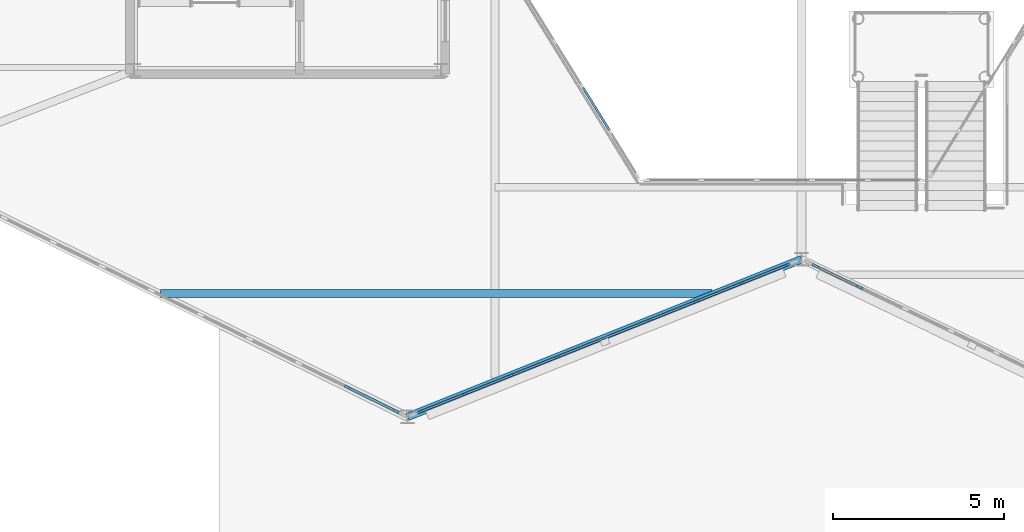
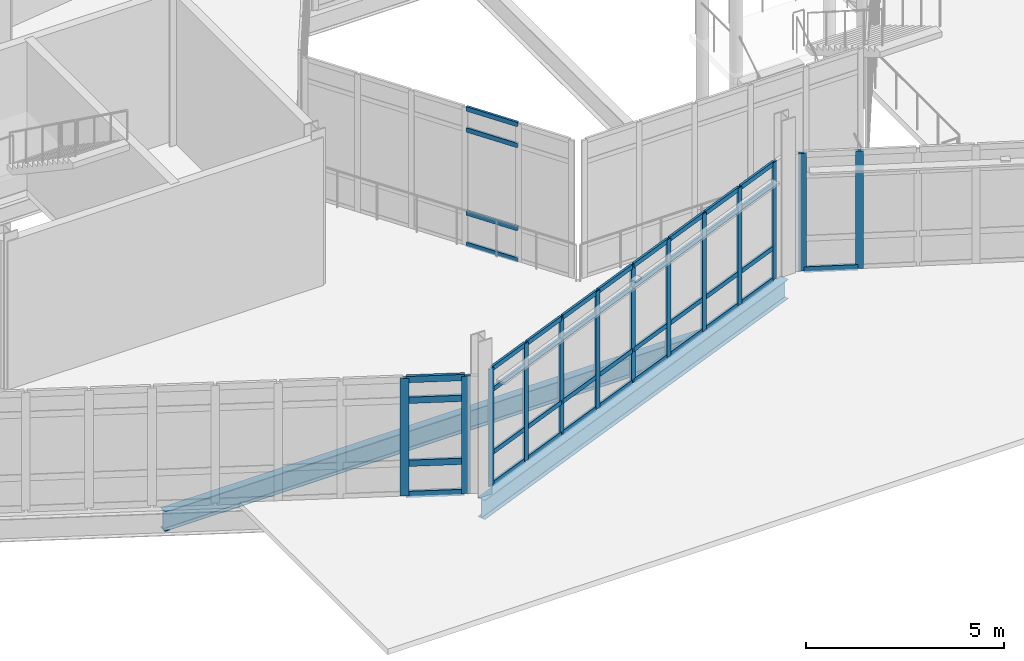
# One storey, part 37 of 134: 54 members, 2 beams, 4 elements without a shape of their own.
"""IFC4 building model written with IfcOpenShell, lengths in metres."""

from ifc_helpers import new_model, si_unit, direction, frame, origin, origin_2d, place, context, subcontext, project, spatial, rectangle, i_section, extrude, material, material_profile, profile_set, type_object, element, aggregate, save


model = new_model("IFC4")

# Units and contexts
model_context = context("Model", 3, precision=1e-05, world=origin(), true_north=direction((0.0, 1.0)))
body_context = subcontext(model_context, "Body", "Model", "MODEL_VIEW")
ifc_project = project(units=[si_unit("LENGTHUNIT", "METRE"), si_unit("AREAUNIT", "SQUARE_METRE"), si_unit("VOLUMEUNIT", "CUBIC_METRE"), si_unit("PLANEANGLEUNIT", "RADIAN"), si_unit("MASSUNIT", "GRAM", prefix="KILO")], contexts=[model_context])

# Site, building, storey
site_placement = place(None, origin())
site = spatial("IfcSite", under=ifc_project, at=site_placement, CompositionType="ELEMENT")
building_placement = place(site_placement, origin())
building = spatial("IfcBuilding", under=site, at=building_placement, Name="Tameran Prism Museum", CompositionType="ELEMENT")
storey_placement = place(building_placement, frame((0.0, 0.0, 5.39990234375)))
storey = spatial("IfcBuildingStorey", under=building, at=storey_placement, Name="L01", CompositionType="ELEMENT", Elevation=5.39990234375)

# Beams
ifc_material_1 = material(Name="Steel Grade 300PLUS (300 MPa)", Category="steel")
ifc_material_profile_1 = material_profile(ifc_material_1, i_section(OverallWidth=0.22802734375, OverallDepth=0.60205078125, WebThickness=0.010498046875, FlangeThickness=0.014892578125, FilletRadius=0.013916015625, at=origin_2d()))
ifc_profile_set_1 = profile_set([ifc_material_profile_1])
beam_type_1 = type_object("IfcBeamType", Name="BM-SP610", PredefinedType="SPANDREL", material=ifc_profile_set_1)
beam_1_placement = place(storey_placement, frame((66.0, 22.800048828125, -0.5009765625), z_axis=(0.928480769028, 0.371380480835, 0.0), x_axis=(-0.371380480835, 0.928480769028, 0.0)))
element("IfcBeam", 1, at=beam_1_placement, inside=storey, type_object=beam_type_1, Name="Perimeter Spandrel SP-0347", PredefinedType="SPANDREL", context=body_context, shape_type="SweptSolid", body=[
    extrude(i_section(OverallWidth=0.22802734375, OverallDepth=0.60205078125, WebThickness=0.010498046875, FlangeThickness=0.014892578125, FilletRadius=0.013916015625, at=origin_2d()), origin(), (0.0, 0.0, 1.0), 12.3857421875),
])
ifc_material_2 = material(Name="Steel Grade 300PLUS (300 MPa)", Category="steel")
ifc_material_profile_2 = material_profile(ifc_material_2, i_section(OverallWidth=0.22802734375, OverallDepth=0.60693359375, WebThickness=0.01123046875, FlangeThickness=0.017333984375, FilletRadius=0.013916015625, at=origin_2d()))
ifc_profile_set_2 = profile_set([ifc_material_profile_2])
beam_type_2 = type_object("IfcBeamType", Name="BM-UB610B", PredefinedType="BEAM", material=ifc_profile_set_2)
beam_2_placement = place(storey_placement, frame((58.79296875, 26.39990234375, -0.50341796875), z_axis=(1.0, 0.0, 0.0), x_axis=(0.0, 1.0, 0.0)))
element("IfcBeam", 2, at=beam_2_placement, inside=storey, type_object=beam_type_2, Name="Floor Beam BM-0539", PredefinedType="BEAM", context=body_context, shape_type="SweptSolid", body=[
    extrude(i_section(OverallWidth=0.22802734375, OverallDepth=0.60693359375, WebThickness=0.01123046875, FlangeThickness=0.017333984375, FilletRadius=0.013916015625, at=origin_2d()), origin(), (0.0, 0.0, 1.0), 16.09912109375),
])

# Curtain wall, members
ifc_material_3 = material(Name="Anodised Aluminium 6063-T6 and Cyclone Solar Glass", Category="aluminium")
curtain_wall_type_1 = type_object("IfcCurtainWallType", Name="CW-FAC-1163x362", PredefinedType="USERDEFINED", material=ifc_material_3)
curtain_wall_1_placement = place(storey_placement, origin())
curtain_wall_1 = element("IfcCurtainWall", 3, at=curtain_wall_1_placement, inside=storey, type_object=curtain_wall_type_1, Name="Unitised Curtain Wall CW-063", ObjectType="UNITISED CURTAIN WALL", PredefinedType="USERDEFINED")
ifc_material_4 = material(Name="Anodised Aluminium Alloy 6063-T6", Category="aluminium")
ifc_material_profile_3 = material_profile(ifc_material_4, rectangle(XDim=0.06494140625, YDim=0.159912109375, at=origin_2d()))
ifc_profile_set_3 = profile_set([ifc_material_profile_3])
member_type_1 = type_object("IfcMemberType", Name="CW-MUL-A", PredefinedType="MULLION", material=ifc_profile_set_3)
member_1_placement = place(storey_placement, frame((77.0888671875, 27.23583984375, 0.0), z_axis=(0.0, 0.0, 1.0), x_axis=(0.371420337114, -0.928464826032, 0.0)))
member_1 = element("IfcMember", 4, at=member_1_placement, type_object=member_type_1, Name="CW-063 mullion 1", PredefinedType="MULLION", context=body_context, shape_type="SweptSolid", body=[
    extrude(rectangle(XDim=0.06494140625, YDim=0.159912109375, at=origin_2d()), origin(), (0.0, 0.0, 1.0), 3.6201171875),
])
member_2_placement = place(storey_placement, frame((75.769775390625, 26.708251953125, 0.0), z_axis=(0.0, 0.0, 1.0), x_axis=(0.371420337114, -0.928464826032, 0.0)))
member_2 = element("IfcMember", 5, at=member_2_placement, type_object=member_type_1, Name="CW-063 mullion 2", PredefinedType="MULLION", context=body_context, shape_type="SweptSolid", body=[
    extrude(rectangle(XDim=0.06494140625, YDim=0.159912109375, at=origin_2d()), origin(), (0.0, 0.0, 1.0), 3.6201171875),
])
member_3_placement = place(storey_placement, frame((74.42041015625, 26.16845703125, 0.0), z_axis=(0.0, 0.0, 1.0), x_axis=(0.371420337114, -0.928464826032, 0.0)))
member_3 = element("IfcMember", 6, at=member_3_placement, type_object=member_type_1, Name="CW-063 mullion 3", PredefinedType="MULLION", context=body_context, shape_type="SweptSolid", body=[
    extrude(rectangle(XDim=0.06494140625, YDim=0.159912109375, at=origin_2d()), origin(), (0.0, 0.0, 1.0), 3.6201171875),
])
member_4_placement = place(storey_placement, frame((73.0712890625, 25.628662109375, 0.0), z_axis=(0.0, 0.0, 1.0), x_axis=(0.371420337114, -0.928464826032, 0.0)))
member_4 = element("IfcMember", 7, at=member_4_placement, type_object=member_type_1, Name="CW-063 mullion 4", PredefinedType="MULLION", context=body_context, shape_type="SweptSolid", body=[
    extrude(rectangle(XDim=0.06494140625, YDim=0.159912109375, at=origin_2d()), origin(), (0.0, 0.0, 1.0), 3.6201171875),
])
member_5_placement = place(storey_placement, frame((71.721923828125, 25.089111328125, 0.0), z_axis=(0.0, 0.0, 1.0), x_axis=(0.371420337114, -0.928464826032, 0.0)))
member_5 = element("IfcMember", 8, at=member_5_placement, type_object=member_type_1, Name="CW-063 mullion 5", PredefinedType="MULLION", context=body_context, shape_type="SweptSolid", body=[
    extrude(rectangle(XDim=0.06494140625, YDim=0.159912109375, at=origin_2d()), origin(), (0.0, 0.0, 1.0), 3.6201171875),
])
member_6_placement = place(storey_placement, frame((70.372802734375, 24.54931640625, 0.0), z_axis=(0.0, 0.0, 1.0), x_axis=(0.371420337114, -0.928464826032, 0.0)))
member_6 = element("IfcMember", 9, at=member_6_placement, type_object=member_type_1, Name="CW-063 mullion 6", PredefinedType="MULLION", context=body_context, shape_type="SweptSolid", body=[
    extrude(rectangle(XDim=0.06494140625, YDim=0.159912109375, at=origin_2d()), origin(), (0.0, 0.0, 1.0), 3.6201171875),
])
member_7_placement = place(storey_placement, frame((69.0234375, 24.009521484375, 0.0), z_axis=(0.0, 0.0, 1.0), x_axis=(0.371420337114, -0.928464826032, 0.0)))
member_7 = element("IfcMember", 10, at=member_7_placement, type_object=member_type_1, Name="CW-063 mullion 7", PredefinedType="MULLION", context=body_context, shape_type="SweptSolid", body=[
    extrude(rectangle(XDim=0.06494140625, YDim=0.159912109375, at=origin_2d()), origin(), (0.0, 0.0, 1.0), 3.6201171875),
])
member_8_placement = place(storey_placement, frame((67.67431640625, 23.4697265625, 0.0), z_axis=(0.0, 0.0, 1.0), x_axis=(0.371420337114, -0.928464826032, 0.0)))
member_8 = element("IfcMember", 11, at=member_8_placement, type_object=member_type_1, Name="CW-063 mullion 8", PredefinedType="MULLION", context=body_context, shape_type="SweptSolid", body=[
    extrude(rectangle(XDim=0.06494140625, YDim=0.159912109375, at=origin_2d()), origin(), (0.0, 0.0, 1.0), 3.6201171875),
])
member_9_placement = place(storey_placement, frame((66.355224609375, 22.942138671875, 0.0), z_axis=(0.0, 0.0, 1.0), x_axis=(0.371420337114, -0.928464826032, 0.0)))
member_9 = element("IfcMember", 12, at=member_9_placement, type_object=member_type_1, Name="CW-063 mullion 9", PredefinedType="MULLION", context=body_context, shape_type="SweptSolid", body=[
    extrude(rectangle(XDim=0.06494140625, YDim=0.159912109375, at=origin_2d()), origin(), (0.0, 0.0, 1.0), 3.6201171875),
])

ifc_material_5 = material(Name="Anodised Aluminium 6063-T6 and Cyclone Solar Glass", Category="aluminium")
curtain_wall_type_2 = type_object("IfcCurtainWallType", Name="CW-FAC-1033x362", PredefinedType="USERDEFINED", material=ifc_material_5)
curtain_wall_2_placement = place(storey_placement, origin())
curtain_wall_2 = element("IfcCurtainWall", 13, at=curtain_wall_2_placement, inside=storey, type_object=curtain_wall_type_2, Name="Unitised Curtain Wall CW-065", ObjectType="UNITISED CURTAIN WALL", PredefinedType="USERDEFINED")
ifc_material_6 = material(Name="Anodised Aluminium Alloy 6063-T6", Category="aluminium")
ifc_material_profile_4 = material_profile(ifc_material_6, rectangle(XDim=0.074951171875, YDim=0.199951171875, at=origin_2d()))
ifc_profile_set_4 = profile_set([ifc_material_profile_4])
member_type_2 = type_object("IfcMemberType", Name="CW-MUL-C", PredefinedType="MULLION", material=ifc_profile_set_4)
member_10_placement = place(storey_placement, frame((79.20068359375, 26.584228515625, 0.0), z_axis=(0.0, 0.0, 1.0), x_axis=(-0.432831753637, -0.901474721245, 0.0)))
member_10 = element("IfcMember", 14, at=member_10_placement, type_object=member_type_2, Name="CW-065 mullion 7", PredefinedType="MULLION", context=body_context, shape_type="SweptSolid", body=[
    extrude(rectangle(XDim=0.074951171875, YDim=0.199951171875, at=origin_2d()), origin(), (0.0, 0.0, 1.0), 3.6201171875),
])
member_11_placement = place(storey_placement, frame((77.90380859375, 27.206787109375, 0.0), z_axis=(0.0, 0.0, 1.0), x_axis=(-0.432831753637, -0.901474721245, 0.0)))
member_11 = element("IfcMember", 15, at=member_11_placement, type_object=member_type_2, Name="CW-065 mullion 8", PredefinedType="MULLION", context=body_context, shape_type="SweptSolid", body=[
    extrude(rectangle(XDim=0.074951171875, YDim=0.199951171875, at=origin_2d()), origin(), (0.0, 0.0, 1.0), 3.6201171875),
])

ifc_material_7 = material(Name="Anodised Aluminium 6063-T6 and Cyclone Solar Glass", Category="aluminium")
curtain_wall_type_3 = type_object("IfcCurtainWallType", Name="CW-FAC-1597x362", PredefinedType="USERDEFINED", material=ifc_material_7)
curtain_wall_3_placement = place(storey_placement, origin())
curtain_wall_3 = element("IfcCurtainWall", 16, at=curtain_wall_3_placement, inside=storey, type_object=curtain_wall_type_3, Name="Unitised Curtain Wall CW-062", ObjectType="UNITISED CURTAIN WALL", PredefinedType="USERDEFINED")
ifc_material_8 = material(Name="Anodised Aluminium Alloy 6063-T6", Category="aluminium")
ifc_material_profile_5 = material_profile(ifc_material_8, rectangle(XDim=0.080078125, YDim=0.219970703125, at=origin_2d()))
ifc_profile_set_5 = profile_set([ifc_material_profile_5])
member_type_3 = type_object("IfcMemberType", Name="CW-MUL-D", PredefinedType="MULLION", material=ifc_profile_set_5)
member_12_placement = place(storey_placement, frame((65.650146484375, 22.97265625, 0.0), z_axis=(0.0, 0.0, 1.0), x_axis=(-0.442396697666, -0.896819470069, 0.0)))
member_12 = element("IfcMember", 17, at=member_12_placement, type_object=member_type_3, Name="CW-062 mullion 1", PredefinedType="MULLION", context=body_context, shape_type="SweptSolid", body=[
    extrude(rectangle(XDim=0.080078125, YDim=0.219970703125, at=origin_2d()), origin(), (0.0, 0.0, 1.0), 3.6201171875),
])
member_13_placement = place(storey_placement, frame((64.254150390625, 23.661376953125, 0.0), z_axis=(0.0, 0.0, 1.0), x_axis=(-0.442396697666, -0.896819470069, 0.0)))
member_13 = element("IfcMember", 18, at=member_13_placement, type_object=member_type_3, Name="CW-062 mullion 2", PredefinedType="MULLION", context=body_context, shape_type="SweptSolid", body=[
    extrude(rectangle(XDim=0.080078125, YDim=0.219970703125, at=origin_2d()), origin(), (0.0, 0.0, 1.0), 3.6201171875),
])

ifc_material_9 = material(Name="Anodised Aluminium 6063-T6 and Cyclone Solar Glass", Category="aluminium")
curtain_wall_type_4 = type_object("IfcCurtainWallType", Name="CW-ATR-769x424", PredefinedType="USERDEFINED", material=ifc_material_9)
curtain_wall_4_placement = place(storey_placement, origin())
curtain_wall_4 = element("IfcCurtainWall", 19, at=curtain_wall_4_placement, inside=storey, type_object=curtain_wall_type_4, Name="Unitised Curtain Wall CW-001", ObjectType="UNITISED CURTAIN WALL", PredefinedType="USERDEFINED")
ifc_material_10 = material(Name="Anodised Aluminium Alloy 6063-T6", Category="aluminium")
ifc_material_profile_6 = material_profile(ifc_material_10, rectangle(XDim=0.06494140625, YDim=0.139892578125, at=origin_2d()))
ifc_profile_set_6 = profile_set([ifc_material_profile_6])
member_type_4 = type_object("IfcMemberType", Name="CW-TRN-A", PredefinedType="USERDEFINED", material=ifc_profile_set_6)
member_14_placement = place(storey_placement, frame((71.121337890625, 32.41796875, 0.03271484375), z_axis=(0.525492880722, -0.850797997359, 0.0), x_axis=(0.850797997359, 0.525492880722, 0.0)))
member_14 = element("IfcMember", 20, at=member_14_placement, type_object=member_type_4, Name="CW-001 transom 4.1", ObjectType="TRANSOM", PredefinedType="USERDEFINED", context=body_context, shape_type="SweptSolid", body=[
    extrude(rectangle(XDim=0.06494140625, YDim=0.139892578125, at=origin_2d()), origin(), (0.0, 0.0, 1.0), 1.47314453125),
])
member_15_placement = place(storey_placement, frame((71.121337890625, 32.41796875, 1.0), z_axis=(0.525492880722, -0.850797997359, 0.0), x_axis=(0.850797997359, 0.525492880722, 0.0)))
member_15 = element("IfcMember", 21, at=member_15_placement, type_object=member_type_4, Name="CW-001 transom 4.2", ObjectType="TRANSOM", PredefinedType="USERDEFINED", context=body_context, shape_type="SweptSolid", body=[
    extrude(rectangle(XDim=0.06494140625, YDim=0.139892578125, at=origin_2d()), origin(), (0.0, 0.0, 1.0), 1.47314453125),
])
member_16_placement = place(storey_placement, frame((71.121337890625, 32.41796875, 3.56005859375), z_axis=(0.525492880722, -0.850797997359, 0.0), x_axis=(0.850797997359, 0.525492880722, 0.0)))
member_16 = element("IfcMember", 22, at=member_16_placement, type_object=member_type_4, Name="CW-001 transom 4.3", ObjectType="TRANSOM", PredefinedType="USERDEFINED", context=body_context, shape_type="SweptSolid", body=[
    extrude(rectangle(XDim=0.06494140625, YDim=0.139892578125, at=origin_2d()), origin(), (0.0, 0.0, 1.0), 1.47314453125),
])
member_17_placement = place(storey_placement, frame((71.121337890625, 32.41796875, 4.20751953125), z_axis=(0.525492880722, -0.850797997359, 0.0), x_axis=(0.850797997359, 0.525492880722, 0.0)))
member_17 = element("IfcMember", 23, at=member_17_placement, type_object=member_type_4, Name="CW-001 transom 4.4", ObjectType="TRANSOM", PredefinedType="USERDEFINED", context=body_context, shape_type="SweptSolid", body=[
    extrude(rectangle(XDim=0.06494140625, YDim=0.139892578125, at=origin_2d()), origin(), (0.0, 0.0, 1.0), 1.47314453125),
])
aggregate(curtain_wall_4, [member_14, member_15, member_16, member_17])

# Member
member_18_placement = place(storey_placement, frame((77.05859375, 27.223876953125, 0.03271484375), z_axis=(-0.928439430411, -0.371483813991, 0.0), x_axis=(0.371483813991, -0.928439430411, 0.0)))
member_18 = element("IfcMember", 24, at=member_18_placement, type_object=member_type_4, Name="CW-063 transom 1.1", ObjectType="TRANSOM", PredefinedType="USERDEFINED", context=body_context, shape_type="SweptSolid", body=[
    extrude(rectangle(XDim=0.06494140625, YDim=0.139892578125, at=origin_2d()), origin(), (0.0, 0.0, 1.0), 1.355712890625),
])

member_19_placement = place(storey_placement, frame((77.05859375, 27.223876953125, 1.0), z_axis=(-0.928439430411, -0.371483813991, 0.0), x_axis=(0.371483813991, -0.928439430411, 0.0)))
member_19 = element("IfcMember", 25, at=member_19_placement, type_object=member_type_4, Name="CW-063 transom 1.2", ObjectType="TRANSOM", PredefinedType="USERDEFINED", context=body_context, shape_type="SweptSolid", body=[
    extrude(rectangle(XDim=0.06494140625, YDim=0.139892578125, at=origin_2d()), origin(), (0.0, 0.0, 1.0), 1.355712890625),
])

member_20_placement = place(storey_placement, frame((77.05859375, 27.223876953125, 2.940185546875), z_axis=(-0.928439430411, -0.371483813991, 0.0), x_axis=(0.371483813991, -0.928439430411, 0.0)))
member_20 = element("IfcMember", 26, at=member_20_placement, type_object=member_type_4, Name="CW-063 transom 1.3", ObjectType="TRANSOM", PredefinedType="USERDEFINED", context=body_context, shape_type="SweptSolid", body=[
    extrude(rectangle(XDim=0.06494140625, YDim=0.139892578125, at=origin_2d()), origin(), (0.0, 0.0, 1.0), 1.355712890625),
])

member_21_placement = place(storey_placement, frame((77.05859375, 27.223876953125, 3.587646484375), z_axis=(-0.928439430411, -0.371483813991, 0.0), x_axis=(0.371483813991, -0.928439430411, 0.0)))
member_21 = element("IfcMember", 27, at=member_21_placement, type_object=member_type_4, Name="CW-063 transom 1.4", ObjectType="TRANSOM", PredefinedType="USERDEFINED", context=body_context, shape_type="SweptSolid", body=[
    extrude(rectangle(XDim=0.06494140625, YDim=0.139892578125, at=origin_2d()), origin(), (0.0, 0.0, 1.0), 1.355712890625),
])

member_22_placement = place(storey_placement, frame((75.739501953125, 26.6962890625, 0.03271484375), z_axis=(-0.928452430067, -0.371451322656, 0.0), x_axis=(0.371451322656, -0.928452430067, 0.0)))
member_22 = element("IfcMember", 28, at=member_22_placement, type_object=member_type_4, Name="CW-063 transom 2.1", ObjectType="TRANSOM", PredefinedType="USERDEFINED", context=body_context, shape_type="SweptSolid", body=[
    extrude(rectangle(XDim=0.06494140625, YDim=0.139892578125, at=origin_2d()), origin(), (0.0, 0.0, 1.0), 1.38818359375),
])

member_23_placement = place(storey_placement, frame((75.739501953125, 26.6962890625, 1.0), z_axis=(-0.928452430067, -0.371451322656, 0.0), x_axis=(0.371451322656, -0.928452430067, 0.0)))
member_23 = element("IfcMember", 29, at=member_23_placement, type_object=member_type_4, Name="CW-063 transom 2.2", ObjectType="TRANSOM", PredefinedType="USERDEFINED", context=body_context, shape_type="SweptSolid", body=[
    extrude(rectangle(XDim=0.06494140625, YDim=0.139892578125, at=origin_2d()), origin(), (0.0, 0.0, 1.0), 1.38818359375),
])

member_24_placement = place(storey_placement, frame((75.739501953125, 26.6962890625, 2.940185546875), z_axis=(-0.928452430067, -0.371451322656, 0.0), x_axis=(0.371451322656, -0.928452430067, 0.0)))
member_24 = element("IfcMember", 30, at=member_24_placement, type_object=member_type_4, Name="CW-063 transom 2.3", ObjectType="TRANSOM", PredefinedType="USERDEFINED", context=body_context, shape_type="SweptSolid", body=[
    extrude(rectangle(XDim=0.06494140625, YDim=0.139892578125, at=origin_2d()), origin(), (0.0, 0.0, 1.0), 1.38818359375),
])

member_25_placement = place(storey_placement, frame((75.739501953125, 26.6962890625, 3.587646484375), z_axis=(-0.928452430067, -0.371451322656, 0.0), x_axis=(0.371451322656, -0.928452430067, 0.0)))
member_25 = element("IfcMember", 31, at=member_25_placement, type_object=member_type_4, Name="CW-063 transom 2.4", ObjectType="TRANSOM", PredefinedType="USERDEFINED", context=body_context, shape_type="SweptSolid", body=[
    extrude(rectangle(XDim=0.06494140625, YDim=0.139892578125, at=origin_2d()), origin(), (0.0, 0.0, 1.0), 1.38818359375),
])

member_26_placement = place(storey_placement, frame((74.390380859375, 26.156494140625, 0.03271484375), z_axis=(-0.928476690885, -0.371390676354, 0.0), x_axis=(0.371390676354, -0.928476690885, 0.0)))
member_26 = element("IfcMember", 32, at=member_26_placement, type_object=member_type_4, Name="CW-063 transom 3.1", ObjectType="TRANSOM", PredefinedType="USERDEFINED", context=body_context, shape_type="SweptSolid", body=[
    extrude(rectangle(XDim=0.06494140625, YDim=0.139892578125, at=origin_2d()), origin(), (0.0, 0.0, 1.0), 1.388427734375),
])

member_27_placement = place(storey_placement, frame((74.390380859375, 26.156494140625, 1.0), z_axis=(-0.928476690885, -0.371390676354, 0.0), x_axis=(0.371390676354, -0.928476690885, 0.0)))
member_27 = element("IfcMember", 33, at=member_27_placement, type_object=member_type_4, Name="CW-063 transom 3.2", ObjectType="TRANSOM", PredefinedType="USERDEFINED", context=body_context, shape_type="SweptSolid", body=[
    extrude(rectangle(XDim=0.06494140625, YDim=0.139892578125, at=origin_2d()), origin(), (0.0, 0.0, 1.0), 1.388427734375),
])

member_28_placement = place(storey_placement, frame((74.390380859375, 26.156494140625, 2.940185546875), z_axis=(-0.928476690885, -0.371390676354, 0.0), x_axis=(0.371390676354, -0.928476690885, 0.0)))
member_28 = element("IfcMember", 34, at=member_28_placement, type_object=member_type_4, Name="CW-063 transom 3.3", ObjectType="TRANSOM", PredefinedType="USERDEFINED", context=body_context, shape_type="SweptSolid", body=[
    extrude(rectangle(XDim=0.06494140625, YDim=0.139892578125, at=origin_2d()), origin(), (0.0, 0.0, 1.0), 1.388427734375),
])

member_29_placement = place(storey_placement, frame((74.390380859375, 26.156494140625, 3.587646484375), z_axis=(-0.928476690885, -0.371390676354, 0.0), x_axis=(0.371390676354, -0.928476690885, 0.0)))
member_29 = element("IfcMember", 35, at=member_29_placement, type_object=member_type_4, Name="CW-063 transom 3.4", ObjectType="TRANSOM", PredefinedType="USERDEFINED", context=body_context, shape_type="SweptSolid", body=[
    extrude(rectangle(XDim=0.06494140625, YDim=0.139892578125, at=origin_2d()), origin(), (0.0, 0.0, 1.0), 1.388427734375),
])

member_30_placement = place(storey_placement, frame((73.041015625, 25.61669921875, 0.03271484375), z_axis=(-0.928452430067, -0.371451322656, 0.0), x_axis=(0.371451322656, -0.928452430067, 0.0)))
member_30 = element("IfcMember", 36, at=member_30_placement, type_object=member_type_4, Name="CW-063 transom 4.1", ObjectType="TRANSOM", PredefinedType="USERDEFINED", context=body_context, shape_type="SweptSolid", body=[
    extrude(rectangle(XDim=0.06494140625, YDim=0.139892578125, at=origin_2d()), origin(), (0.0, 0.0, 1.0), 1.38818359375),
])

member_31_placement = place(storey_placement, frame((73.041015625, 25.61669921875, 1.0), z_axis=(-0.928452430067, -0.371451322656, 0.0), x_axis=(0.371451322656, -0.928452430067, 0.0)))
member_31 = element("IfcMember", 37, at=member_31_placement, type_object=member_type_4, Name="CW-063 transom 4.2", ObjectType="TRANSOM", PredefinedType="USERDEFINED", context=body_context, shape_type="SweptSolid", body=[
    extrude(rectangle(XDim=0.06494140625, YDim=0.139892578125, at=origin_2d()), origin(), (0.0, 0.0, 1.0), 1.38818359375),
])

member_32_placement = place(storey_placement, frame((73.041015625, 25.61669921875, 2.940185546875), z_axis=(-0.928452430067, -0.371451322656, 0.0), x_axis=(0.371451322656, -0.928452430067, 0.0)))
member_32 = element("IfcMember", 38, at=member_32_placement, type_object=member_type_4, Name="CW-063 transom 4.3", ObjectType="TRANSOM", PredefinedType="USERDEFINED", context=body_context, shape_type="SweptSolid", body=[
    extrude(rectangle(XDim=0.06494140625, YDim=0.139892578125, at=origin_2d()), origin(), (0.0, 0.0, 1.0), 1.38818359375),
])

member_33_placement = place(storey_placement, frame((73.041015625, 25.61669921875, 3.587646484375), z_axis=(-0.928452430067, -0.371451322656, 0.0), x_axis=(0.371451322656, -0.928452430067, 0.0)))
member_33 = element("IfcMember", 39, at=member_33_placement, type_object=member_type_4, Name="CW-063 transom 4.4", ObjectType="TRANSOM", PredefinedType="USERDEFINED", context=body_context, shape_type="SweptSolid", body=[
    extrude(rectangle(XDim=0.06494140625, YDim=0.139892578125, at=origin_2d()), origin(), (0.0, 0.0, 1.0), 1.38818359375),
])

member_34_placement = place(storey_placement, frame((71.69189453125, 25.076904296875, 0.03271484375), z_axis=(-0.928476690885, -0.371390676354, 0.0), x_axis=(0.371390676354, -0.928476690885, 0.0)))
member_34 = element("IfcMember", 40, at=member_34_placement, type_object=member_type_4, Name="CW-063 transom 5.1", ObjectType="TRANSOM", PredefinedType="USERDEFINED", context=body_context, shape_type="SweptSolid", body=[
    extrude(rectangle(XDim=0.06494140625, YDim=0.139892578125, at=origin_2d()), origin(), (0.0, 0.0, 1.0), 1.388427734375),
])

member_35_placement = place(storey_placement, frame((71.69189453125, 25.076904296875, 1.0), z_axis=(-0.928476690885, -0.371390676354, 0.0), x_axis=(0.371390676354, -0.928476690885, 0.0)))
member_35 = element("IfcMember", 41, at=member_35_placement, type_object=member_type_4, Name="CW-063 transom 5.2", ObjectType="TRANSOM", PredefinedType="USERDEFINED", context=body_context, shape_type="SweptSolid", body=[
    extrude(rectangle(XDim=0.06494140625, YDim=0.139892578125, at=origin_2d()), origin(), (0.0, 0.0, 1.0), 1.388427734375),
])

member_36_placement = place(storey_placement, frame((71.69189453125, 25.076904296875, 2.940185546875), z_axis=(-0.928476690885, -0.371390676354, 0.0), x_axis=(0.371390676354, -0.928476690885, 0.0)))
member_36 = element("IfcMember", 42, at=member_36_placement, type_object=member_type_4, Name="CW-063 transom 5.3", ObjectType="TRANSOM", PredefinedType="USERDEFINED", context=body_context, shape_type="SweptSolid", body=[
    extrude(rectangle(XDim=0.06494140625, YDim=0.139892578125, at=origin_2d()), origin(), (0.0, 0.0, 1.0), 1.388427734375),
])

member_37_placement = place(storey_placement, frame((71.69189453125, 25.076904296875, 3.587646484375), z_axis=(-0.928476690885, -0.371390676354, 0.0), x_axis=(0.371390676354, -0.928476690885, 0.0)))
member_37 = element("IfcMember", 43, at=member_37_placement, type_object=member_type_4, Name="CW-063 transom 5.4", ObjectType="TRANSOM", PredefinedType="USERDEFINED", context=body_context, shape_type="SweptSolid", body=[
    extrude(rectangle(XDim=0.06494140625, YDim=0.139892578125, at=origin_2d()), origin(), (0.0, 0.0, 1.0), 1.388427734375),
])

member_38_placement = place(storey_placement, frame((70.342529296875, 24.537109375, 0.03271484375), z_axis=(-0.928452430067, -0.371451322656, 0.0), x_axis=(0.371451322656, -0.928452430067, 0.0)))
member_38 = element("IfcMember", 44, at=member_38_placement, type_object=member_type_4, Name="CW-063 transom 6.1", ObjectType="TRANSOM", PredefinedType="USERDEFINED", context=body_context, shape_type="SweptSolid", body=[
    extrude(rectangle(XDim=0.06494140625, YDim=0.139892578125, at=origin_2d()), origin(), (0.0, 0.0, 1.0), 1.38818359375),
])

member_39_placement = place(storey_placement, frame((70.342529296875, 24.537109375, 1.0), z_axis=(-0.928452430067, -0.371451322656, 0.0), x_axis=(0.371451322656, -0.928452430067, 0.0)))
member_39 = element("IfcMember", 45, at=member_39_placement, type_object=member_type_4, Name="CW-063 transom 6.2", ObjectType="TRANSOM", PredefinedType="USERDEFINED", context=body_context, shape_type="SweptSolid", body=[
    extrude(rectangle(XDim=0.06494140625, YDim=0.139892578125, at=origin_2d()), origin(), (0.0, 0.0, 1.0), 1.38818359375),
])

member_40_placement = place(storey_placement, frame((70.342529296875, 24.537109375, 2.940185546875), z_axis=(-0.928452430067, -0.371451322656, 0.0), x_axis=(0.371451322656, -0.928452430067, 0.0)))
member_40 = element("IfcMember", 46, at=member_40_placement, type_object=member_type_4, Name="CW-063 transom 6.3", ObjectType="TRANSOM", PredefinedType="USERDEFINED", context=body_context, shape_type="SweptSolid", body=[
    extrude(rectangle(XDim=0.06494140625, YDim=0.139892578125, at=origin_2d()), origin(), (0.0, 0.0, 1.0), 1.38818359375),
])

member_41_placement = place(storey_placement, frame((70.342529296875, 24.537109375, 3.587646484375), z_axis=(-0.928452430067, -0.371451322656, 0.0), x_axis=(0.371451322656, -0.928452430067, 0.0)))
member_41 = element("IfcMember", 47, at=member_41_placement, type_object=member_type_4, Name="CW-063 transom 6.4", ObjectType="TRANSOM", PredefinedType="USERDEFINED", context=body_context, shape_type="SweptSolid", body=[
    extrude(rectangle(XDim=0.06494140625, YDim=0.139892578125, at=origin_2d()), origin(), (0.0, 0.0, 1.0), 1.38818359375),
])

member_42_placement = place(storey_placement, frame((68.993408203125, 23.997314453125, 0.03271484375), z_axis=(-0.92853731966, -0.371239068523, 0.0), x_axis=(0.371239068523, -0.92853731966, 0.0)))
member_42 = element("IfcMember", 48, at=member_42_placement, type_object=member_type_4, Name="CW-063 transom 7.1", ObjectType="TRANSOM", PredefinedType="USERDEFINED", context=body_context, shape_type="SweptSolid", body=[
    extrude(rectangle(XDim=0.06494140625, YDim=0.139892578125, at=origin_2d()), origin(), (0.0, 0.0, 1.0), 1.38818359375),
])

member_43_placement = place(storey_placement, frame((68.993408203125, 23.997314453125, 1.0), z_axis=(-0.92853731966, -0.371239068523, 0.0), x_axis=(0.371239068523, -0.92853731966, 0.0)))
member_43 = element("IfcMember", 49, at=member_43_placement, type_object=member_type_4, Name="CW-063 transom 7.2", ObjectType="TRANSOM", PredefinedType="USERDEFINED", context=body_context, shape_type="SweptSolid", body=[
    extrude(rectangle(XDim=0.06494140625, YDim=0.139892578125, at=origin_2d()), origin(), (0.0, 0.0, 1.0), 1.38818359375),
])

member_44_placement = place(storey_placement, frame((68.993408203125, 23.997314453125, 2.940185546875), z_axis=(-0.92853731966, -0.371239068523, 0.0), x_axis=(0.371239068523, -0.92853731966, 0.0)))
member_44 = element("IfcMember", 50, at=member_44_placement, type_object=member_type_4, Name="CW-063 transom 7.3", ObjectType="TRANSOM", PredefinedType="USERDEFINED", context=body_context, shape_type="SweptSolid", body=[
    extrude(rectangle(XDim=0.06494140625, YDim=0.139892578125, at=origin_2d()), origin(), (0.0, 0.0, 1.0), 1.38818359375),
])

member_45_placement = place(storey_placement, frame((68.993408203125, 23.997314453125, 3.587646484375), z_axis=(-0.92853731966, -0.371239068523, 0.0), x_axis=(0.371239068523, -0.92853731966, 0.0)))
member_45 = element("IfcMember", 51, at=member_45_placement, type_object=member_type_4, Name="CW-063 transom 7.4", ObjectType="TRANSOM", PredefinedType="USERDEFINED", context=body_context, shape_type="SweptSolid", body=[
    extrude(rectangle(XDim=0.06494140625, YDim=0.139892578125, at=origin_2d()), origin(), (0.0, 0.0, 1.0), 1.38818359375),
])

member_46_placement = place(storey_placement, frame((67.64404296875, 23.457763671875, 0.03271484375), z_axis=(-0.928439430411, -0.371483813991, 0.0), x_axis=(0.371483813991, -0.928439430411, 0.0)))
member_46 = element("IfcMember", 52, at=member_46_placement, type_object=member_type_4, Name="CW-063 transom 8.1", ObjectType="TRANSOM", PredefinedType="USERDEFINED", context=body_context, shape_type="SweptSolid", body=[
    extrude(rectangle(XDim=0.06494140625, YDim=0.139892578125, at=origin_2d()), origin(), (0.0, 0.0, 1.0), 1.355712890625),
])

member_47_placement = place(storey_placement, frame((67.64404296875, 23.457763671875, 1.0), z_axis=(-0.928439430411, -0.371483813991, 0.0), x_axis=(0.371483813991, -0.928439430411, 0.0)))
member_47 = element("IfcMember", 53, at=member_47_placement, type_object=member_type_4, Name="CW-063 transom 8.2", ObjectType="TRANSOM", PredefinedType="USERDEFINED", context=body_context, shape_type="SweptSolid", body=[
    extrude(rectangle(XDim=0.06494140625, YDim=0.139892578125, at=origin_2d()), origin(), (0.0, 0.0, 1.0), 1.355712890625),
])

member_48_placement = place(storey_placement, frame((67.64404296875, 23.457763671875, 2.940185546875), z_axis=(-0.928439430411, -0.371483813991, 0.0), x_axis=(0.371483813991, -0.928439430411, 0.0)))
member_48 = element("IfcMember", 54, at=member_48_placement, type_object=member_type_4, Name="CW-063 transom 8.3", ObjectType="TRANSOM", PredefinedType="USERDEFINED", context=body_context, shape_type="SweptSolid", body=[
    extrude(rectangle(XDim=0.06494140625, YDim=0.139892578125, at=origin_2d()), origin(), (0.0, 0.0, 1.0), 1.355712890625),
])

member_49_placement = place(storey_placement, frame((67.64404296875, 23.457763671875, 3.587646484375), z_axis=(-0.928439430411, -0.371483813991, 0.0), x_axis=(0.371483813991, -0.928439430411, 0.0)))
member_49 = element("IfcMember", 55, at=member_49_placement, type_object=member_type_4, Name="CW-063 transom 8.4", ObjectType="TRANSOM", PredefinedType="USERDEFINED", context=body_context, shape_type="SweptSolid", body=[
    extrude(rectangle(XDim=0.06494140625, YDim=0.139892578125, at=origin_2d()), origin(), (0.0, 0.0, 1.0), 1.355712890625),
])

aggregate(curtain_wall_1, [member_1, member_2, member_3, member_4, member_5, member_6, member_7, member_8, member_9, member_18, member_19, member_20, member_21, member_22, member_23, member_24, member_25, member_26, member_27, member_28, member_29, member_30, member_31, member_32, member_33, member_34, member_35, member_36, member_37, member_38, member_39, member_40, member_41, member_42, member_43, member_44, member_45, member_46, member_47, member_48, member_49])

ifc_material_11 = material(Name="Anodised Aluminium Alloy 6063-T6", Category="aluminium")
ifc_material_profile_7 = material_profile(ifc_material_11, rectangle(XDim=0.074951171875, YDim=0.175048828125, at=origin_2d()))
ifc_profile_set_7 = profile_set([ifc_material_profile_7])
member_type_5 = type_object("IfcMemberType", Name="CW-TRN-C", PredefinedType="USERDEFINED", material=ifc_profile_set_7)
member_50_placement = place(storey_placement, frame((79.166748046875, 26.600341796875, 0.03759765625), z_axis=(-0.901509087026, 0.432760171468, 0.0), x_axis=(-0.432760171468, -0.901509087026, 0.0)))
member_50 = element("IfcMember", 56, at=member_50_placement, type_object=member_type_5, Name="CW-065 transom 7.1", ObjectType="TRANSOM", PredefinedType="USERDEFINED", context=body_context, shape_type="SweptSolid", body=[
    extrude(rectangle(XDim=0.074951171875, YDim=0.175048828125, at=origin_2d()), origin(), (0.0, 0.0, 1.0), 1.363525390625),
])

aggregate(curtain_wall_2, [member_10, member_11, member_50])

ifc_material_12 = material(Name="Anodised Aluminium Alloy 6063-T6", Category="aluminium")
ifc_material_profile_8 = material_profile(ifc_material_12, rectangle(XDim=0.080078125, YDim=0.195068359375, at=origin_2d()))
ifc_profile_set_8 = profile_set([ifc_material_profile_8])
member_type_6 = type_object("IfcMemberType", Name="CW-TRN-D", PredefinedType="USERDEFINED", material=ifc_profile_set_8)
member_51_placement = place(storey_placement, frame((65.6142578125, 22.990478515625, 0.0400390625), z_axis=(-0.896860986763, 0.442312525736, 0.0), x_axis=(-0.442312525736, -0.896860986763, 0.0)))
member_51 = element("IfcMember", 57, at=member_51_placement, type_object=member_type_6, Name="CW-062 transom 1.1", ObjectType="TRANSOM", PredefinedType="USERDEFINED", context=body_context, shape_type="SweptSolid", body=[
    extrude(rectangle(XDim=0.080078125, YDim=0.195068359375, at=origin_2d()), origin(), (0.0, 0.0, 1.0), 1.4765625),
])

member_52_placement = place(storey_placement, frame((65.6142578125, 22.990478515625, 1.0), z_axis=(-0.896860986763, 0.442312525736, 0.0), x_axis=(-0.442312525736, -0.896860986763, 0.0)))
member_52 = element("IfcMember", 58, at=member_52_placement, type_object=member_type_6, Name="CW-062 transom 1.2", ObjectType="TRANSOM", PredefinedType="USERDEFINED", context=body_context, shape_type="SweptSolid", body=[
    extrude(rectangle(XDim=0.080078125, YDim=0.195068359375, at=origin_2d()), origin(), (0.0, 0.0, 1.0), 1.4765625),
])

member_53_placement = place(storey_placement, frame((65.6142578125, 22.990478515625, 2.940185546875), z_axis=(-0.896860986763, 0.442312525736, 0.0), x_axis=(-0.442312525736, -0.896860986763, 0.0)))
member_53 = element("IfcMember", 59, at=member_53_placement, type_object=member_type_6, Name="CW-062 transom 1.3", ObjectType="TRANSOM", PredefinedType="USERDEFINED", context=body_context, shape_type="SweptSolid", body=[
    extrude(rectangle(XDim=0.080078125, YDim=0.195068359375, at=origin_2d()), origin(), (0.0, 0.0, 1.0), 1.4765625),
])

member_54_placement = place(storey_placement, frame((65.6142578125, 22.990478515625, 3.580078125), z_axis=(-0.896860986763, 0.442312525736, 0.0), x_axis=(-0.442312525736, -0.896860986763, 0.0)))
member_54 = element("IfcMember", 60, at=member_54_placement, type_object=member_type_6, Name="CW-062 transom 1.4", ObjectType="TRANSOM", PredefinedType="USERDEFINED", context=body_context, shape_type="SweptSolid", body=[
    extrude(rectangle(XDim=0.080078125, YDim=0.195068359375, at=origin_2d()), origin(), (0.0, 0.0, 1.0), 1.4765625),
])

aggregate(curtain_wall_3, [member_12, member_13, member_51, member_52, member_53, member_54])

save(model, "model.ifc")
